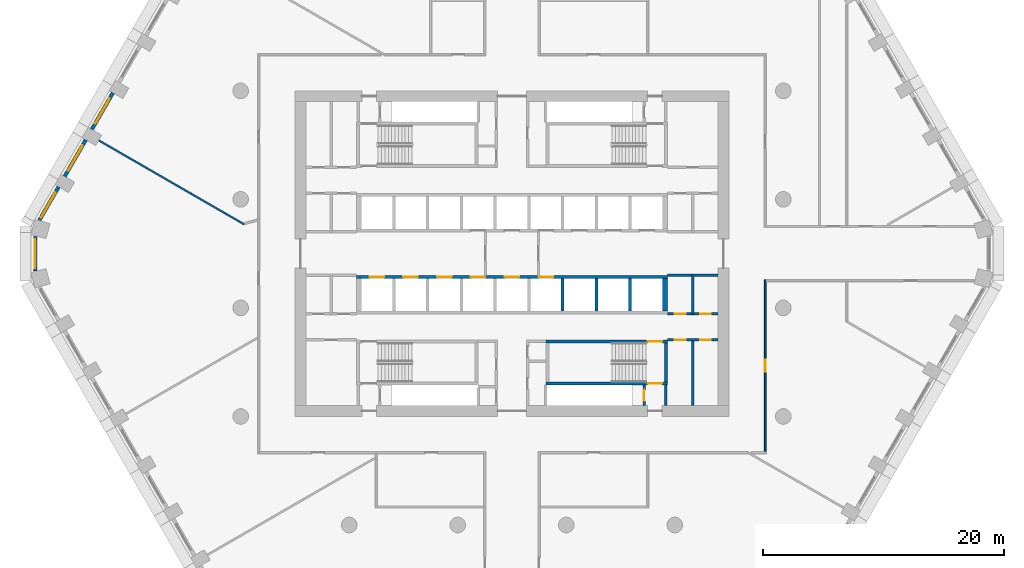
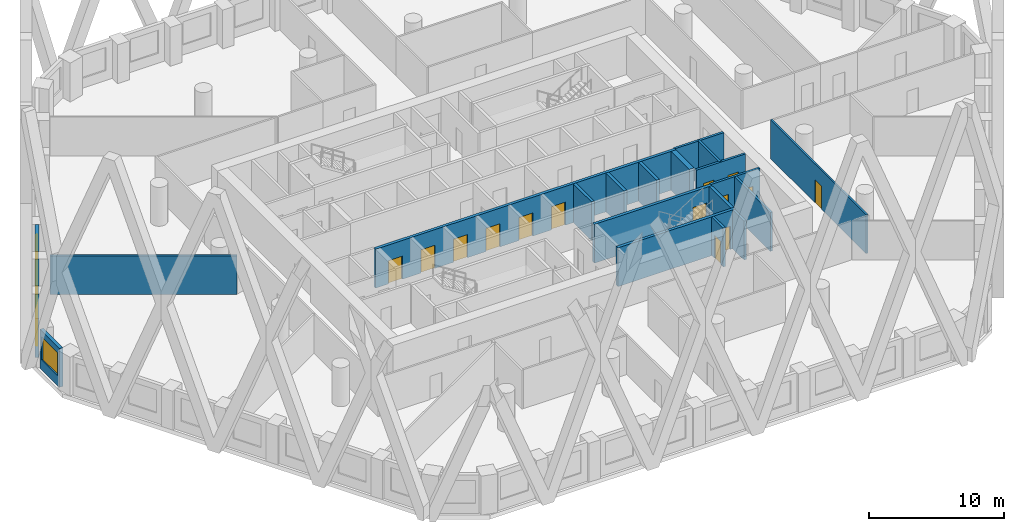
# One storey, part 4 of 18: 21 walls, 14 doors, 4 windows, 18 openings.
"""IFC4 building model written with IfcOpenShell, lengths in metres."""

from ifc_helpers import new_model, si_unit, direction, frame, frame_2d, origin, place, context, subcontext, project, spatial, polyline, rectangle, outline, extrude, material, layer, layer_set, type_object, element, fill, save


model = new_model("IFC4")

# Units and contexts
model_context = context("Model", 3, precision=1e-05, world=origin(), true_north=direction((0.0, 1.0)))
body_context = subcontext(model_context, "Body", "Model", "MODEL_VIEW")
ifc_project = project(units=[si_unit("LENGTHUNIT", "METRE"), si_unit("AREAUNIT", "SQUARE_METRE"), si_unit("VOLUMEUNIT", "CUBIC_METRE"), si_unit("PLANEANGLEUNIT", "RADIAN"), si_unit("MASSUNIT", "GRAM", prefix="KILO")], contexts=[model_context])

# Site, building, storey
site_placement = place(None, origin())
site = spatial("IfcSite", under=ifc_project, at=site_placement, CompositionType="ELEMENT")
building_placement = place(site_placement, origin())
building = spatial("IfcBuilding", under=site, at=building_placement, Name="Dhurran Vertical Campus", CompositionType="ELEMENT")
storey_placement = place(building_placement, frame((0.0, 0.0, 81.300048828125)))
storey = spatial("IfcBuildingStorey", under=building, at=storey_placement, Name="L19", CompositionType="ELEMENT", Elevation=81.300048828125)

# Wall, opening, window
ifc_material_1 = material(Name="Precast concrete C50/60", Category="concrete")
ifc_layer_1 = layer(ifc_material_1, 0.300048828125)
ifc_layer_set_1 = layer_set([ifc_layer_1], Name="Precast concrete C50/60")
wall_type_1 = type_object("IfcWallType", Name="Precast spandrel wall 300", PredefinedType="SOLIDWALL", material=ifc_layer_set_1)
wall_1_placement = place(storey_placement, frame((-33.09423828125, 13.3330078125, 0.0), z_axis=(0.0, 0.0, 1.0), x_axis=(-0.499996256241, -0.866027565234, 0.0)))
wall_1 = element("IfcWall", 1, at=wall_1_placement, inside=storey, type_object=wall_type_1, Name="EW1 L19.40", PredefinedType="SOLIDWALL", context=body_context, shape_type="SweptSolid", body=[
    extrude(rectangle(XDim=3.4990234375, YDim=0.300048828125, at=frame_2d((1.74951171875, 0.0))), origin(), (0.0, 0.0, 1.0), 3.52490234375),
])
opening_1_placement = place(wall_1_placement, frame((0.549560546875, 0.0, 0.89990234375)))
opening_1 = element("IfcOpeningElement", 2, at=opening_1_placement, cuts=wall_1, Name="Opening WT1", PredefinedType="OPENING", context=body_context, shape_type="SweptSolid", body=[
    extrude(rectangle(XDim=2.39990234375, YDim=2.10009765625, at=frame_2d((1.199951171875, 1.050048828125))), frame((0.0, 0.159912109375, 0.0), z_axis=(0.0, -1.0, 0.0), x_axis=(1.0, 0.0, 0.0)), (0.0, 0.0, 1.0), 0.320068359375),
])
ifc_material_2 = material(Name="Aluminium frame with solar-control glass", Category="aluminium")
window_type = type_object("IfcWindowType", Name="Punched window 2400 x 2100", PartitioningType="SINGLE_PANEL", PredefinedType="WINDOW", material=ifc_material_2)
window_1_placement = place(opening_1_placement, origin())
window_1 = element("IfcWindow", 3, at=window_1_placement, inside=storey, type_object=window_type, Name="WT1 L19.40", OverallHeight=2.10009765625, OverallWidth=2.39990234375, PartitioningType="SINGLE_PANEL", PredefinedType="WINDOW", context=body_context, shape_type="SweptSolid", body=[
    extrude(rectangle(XDim=2.39990234375, YDim=2.10009765625, at=frame_2d((1.199951171875, 1.050048828125))), frame((0.0, 0.030029296875, 0.0), z_axis=(0.0, -1.0, 0.0), x_axis=(1.0, 0.0, 0.0)), (0.0, 0.0, 1.0), 0.06005859375),
])
fill(opening_1, window_1)

wall_2_placement = place(storey_placement, frame((-35.34423828125, 9.435791015625, 0.0), z_axis=(0.0, 0.0, 1.0), x_axis=(-0.499996256241, -0.866027565234, 0.0)))
wall_2 = element("IfcWall", 4, at=wall_2_placement, inside=storey, type_object=wall_type_1, Name="EW1 L19.41", PredefinedType="SOLIDWALL", context=body_context, shape_type="SweptSolid", body=[
    extrude(rectangle(XDim=3.4990234375, YDim=0.300048828125, at=frame_2d((1.74951171875, 0.0))), origin(), (0.0, 0.0, 1.0), 3.52490234375),
])
opening_2_placement = place(wall_2_placement, frame((0.549560546875, 0.0, 0.89990234375)))
opening_2 = element("IfcOpeningElement", 5, at=opening_2_placement, cuts=wall_2, Name="Opening WT1", PredefinedType="OPENING", context=body_context, shape_type="SweptSolid", body=[
    extrude(rectangle(XDim=2.39990234375, YDim=2.10009765625, at=frame_2d((1.199951171875, 1.050048828125))), frame((0.0, 0.159912109375, 0.0), z_axis=(0.0, -1.0, 0.0), x_axis=(1.0, 0.0, 0.0)), (0.0, 0.0, 1.0), 0.320068359375),
])
window_2_placement = place(opening_2_placement, origin())
window_2 = element("IfcWindow", 6, at=window_2_placement, inside=storey, type_object=window_type, Name="WT1 L19.41", OverallHeight=2.10009765625, OverallWidth=2.39990234375, PartitioningType="SINGLE_PANEL", PredefinedType="WINDOW", context=body_context, shape_type="SweptSolid", body=[
    extrude(rectangle(XDim=2.39990234375, YDim=2.10009765625, at=frame_2d((1.199951171875, 1.050048828125))), frame((0.0, 0.030029296875, 0.0), z_axis=(0.0, -1.0, 0.0), x_axis=(1.0, 0.0, 0.0)), (0.0, 0.0, 1.0), 0.06005859375),
])
fill(opening_2, window_2)

wall_3_placement = place(storey_placement, frame((-37.59423828125, 5.538818359375, 0.0), z_axis=(0.0, 0.0, 1.0), x_axis=(-0.500004907028, -0.866022570692, 0.0)))
wall_3 = element("IfcWall", 7, at=wall_3_placement, inside=storey, type_object=wall_type_1, Name="EW1 L19.42", PredefinedType="SOLIDWALL", context=body_context, shape_type="SweptSolid", body=[
    extrude(rectangle(XDim=3.1923828125, YDim=0.300048828125, at=frame_2d((1.59619140625, 0.0))), origin(), (0.0, 0.0, 1.0), 3.52490234375),
])
opening_3_placement = place(wall_3_placement, frame((0.549560546875, 0.0, 0.89990234375)))
opening_3 = element("IfcOpeningElement", 8, at=opening_3_placement, cuts=wall_3, Name="Opening WT1", PredefinedType="OPENING", context=body_context, shape_type="SweptSolid", body=[
    extrude(rectangle(XDim=2.39990234375, YDim=2.10009765625, at=frame_2d((1.199951171875, 1.050048828125))), frame((0.0, 0.159912109375, 0.0), z_axis=(0.0, -1.0, 0.0), x_axis=(1.0, 0.0, 0.0)), (0.0, 0.0, 1.0), 0.320068359375),
])
window_3_placement = place(opening_3_placement, origin())
window_3 = element("IfcWindow", 9, at=window_3_placement, inside=storey, type_object=window_type, Name="WT1 L19.42", OverallHeight=2.10009765625, OverallWidth=2.39990234375, PartitioningType="SINGLE_PANEL", PredefinedType="WINDOW", context=body_context, shape_type="SweptSolid", body=[
    extrude(rectangle(XDim=2.39990234375, YDim=2.10009765625, at=frame_2d((1.199951171875, 1.050048828125))), frame((0.0, 0.030029296875, 0.0), z_axis=(0.0, -1.0, 0.0), x_axis=(1.0, 0.0, 0.0)), (0.0, 0.0, 1.0), 0.06005859375),
])
fill(opening_3, window_3)

wall_4_placement = place(storey_placement, frame((-39.547119140625, 1.44287109375, 0.0), z_axis=(0.0, 0.0, 1.0), x_axis=(0.0, -1.0, 0.0)))
wall_4 = element("IfcWall", 10, at=wall_4_placement, inside=storey, type_object=wall_type_1, Name="EW1 L19.43", PredefinedType="SOLIDWALL", context=body_context, shape_type="SweptSolid", body=[
    extrude(rectangle(XDim=2.8857421875, YDim=0.300048828125, at=frame_2d((1.44287109375, 0.0))), origin(), (0.0, 0.0, 1.0), 3.52490234375),
])
opening_4_placement = place(wall_4_placement, frame((0.242919921875, 0.0, 0.89990234375)))
opening_4 = element("IfcOpeningElement", 11, at=opening_4_placement, cuts=wall_4, Name="Opening WT1", PredefinedType="OPENING", context=body_context, shape_type="SweptSolid", body=[
    extrude(rectangle(XDim=2.39990234375, YDim=2.10009765625, at=frame_2d((1.199951171875, 1.050048828125))), frame((0.0, 0.159912109375, 0.0), z_axis=(0.0, -1.0, 0.0), x_axis=(1.0, 0.0, 0.0)), (0.0, 0.0, 1.0), 0.320068359375),
])
window_4_placement = place(opening_4_placement, origin())
window_4 = element("IfcWindow", 12, at=window_4_placement, inside=storey, type_object=window_type, Name="WT1 L19.43", OverallHeight=2.10009765625, OverallWidth=2.39990234375, PartitioningType="SINGLE_PANEL", PredefinedType="WINDOW", context=body_context, shape_type="SweptSolid", body=[
    extrude(rectangle(XDim=2.39990234375, YDim=2.10009765625, at=frame_2d((1.199951171875, 1.050048828125))), frame((0.0, 0.030029296875, 0.0), z_axis=(0.0, -1.0, 0.0), x_axis=(1.0, 0.0, 0.0)), (0.0, 0.0, 1.0), 0.06005859375),
])
fill(opening_4, window_4)

# Wall
ifc_material_3 = material(Name="Fire-rated masonry blockwork", Category="masonry")
ifc_layer_2 = layer(ifc_material_3, 0.199951171875)
ifc_layer_set_2 = layer_set([ifc_layer_2], Name="Fire-rated masonry blockwork")
wall_type_2 = type_object("IfcWallType", Name="co-FIRE-PARTITION-200", PredefinedType="PARTITIONING", material=ifc_layer_set_2)
wall_5_placement = place(storey_placement, frame((12.75, -12.60009765625, 0.0), z_axis=(0.0, 0.0, 1.0), x_axis=(0.0, 1.0, 0.0)))
element("IfcWall", 13, at=wall_5_placement, inside=storey, type_object=wall_type_2, Name="Core partition pass-ST4-o L19", PredefinedType="PARTITIONING", context=body_context, shape_type="SweptSolid", body=[
    extrude(rectangle(XDim=1.7001953125, YDim=0.199951171875, at=frame_2d((0.85009765625, 0.0))), origin(), (0.0, 0.0, 1.0), 3.52490234375),
])

# Wall, opening, door
wall_6_placement = place(storey_placement, frame((10.949951171875, -12.60009765625, 0.0), z_axis=(0.0, 0.0, 1.0), x_axis=(0.0, 1.0, 0.0)))
wall_6 = element("IfcWall", 14, at=wall_6_placement, inside=storey, type_object=wall_type_2, Name="Core partition pass-ST4-i L19", PredefinedType="PARTITIONING", context=body_context, shape_type="SweptSolid", body=[
    extrude(rectangle(XDim=1.7001953125, YDim=0.199951171875, at=frame_2d((0.85009765625, 0.0))), origin(), (0.0, 0.0, 1.0), 3.52490234375),
])
opening_5_placement = place(wall_6_placement, frame((0.39990234375, 0.0, 0.0)))
opening_5 = element("IfcOpeningElement", 15, at=opening_5_placement, cuts=wall_6, Name="Opening T05-C11", PredefinedType="OPENING", context=body_context, shape_type="SweptSolid", body=[
    extrude(rectangle(XDim=0.89990234375, YDim=2.10009765625, at=frame_2d((0.449951171875, 1.050048828125))), frame((0.0, 0.10986328125, 0.0), z_axis=(0.0, -1.0, 0.0), x_axis=(1.0, 0.0, 0.0)), (0.0, 0.0, 1.0), 0.219970703125),
])
ifc_material_4 = material(Name="Fire-rated timber door set", Category="wood")
door_type_1 = type_object("IfcDoorType", Name="co-D-ROOM 900x2100", OperationType="SINGLE_SWING_LEFT", PredefinedType="DOOR", material=ifc_material_4)
door_1_placement = place(opening_5_placement, origin())
door_1 = element("IfcDoor", 16, at=door_1_placement, inside=storey, type_object=door_type_1, Name="Riser room door L19", OperationType="SINGLE_SWING_LEFT", OverallHeight=2.10009765625, OverallWidth=0.89990234375, PredefinedType="DOOR", context=body_context, shape_type="SweptSolid", body=[
    extrude(rectangle(XDim=0.89990234375, YDim=2.10009765625, at=frame_2d((0.449951171875, 1.050048828125))), frame((0.0, 0.02490234375, 0.0), z_axis=(0.0, -1.0, 0.0), x_axis=(1.0, 0.0, 0.0)), (0.0, 0.0, 1.0), 0.050048828125),
])
fill(opening_5, door_1)

# Wall
wall_7_placement = place(storey_placement, frame((15.0, -12.60009765625, 0.0), z_axis=(0.0, 0.0, 1.0), x_axis=(0.0, 1.0, 0.0)))
element("IfcWall", 17, at=wall_7_placement, inside=storey, type_object=wall_type_2, Name="Core partition en-SE-cut0 L19", PredefinedType="PARTITIONING", context=body_context, shape_type="SweptSolid", body=[
    extrude(rectangle(XDim=5.4501953125, YDim=0.199951171875, at=frame_2d((2.72509765625, 0.0))), origin(), (0.0, 0.0, 1.0), 3.52490234375),
])

# Wall, openings, doors
wall_8_placement = place(storey_placement, frame((12.89990234375, -7.14990234375, 0.0), z_axis=(0.0, 0.0, 1.0), x_axis=(1.0, 0.0, 0.0)))
wall_8 = element("IfcWall", 18, at=wall_8_placement, inside=storey, type_object=wall_type_2, Name="Core partition en-SE-w L19", PredefinedType="PARTITIONING", context=body_context, shape_type="SweptSolid", body=[
    extrude(rectangle(XDim=4.2001953125, YDim=0.199951171875, at=frame_2d((2.10009765625, 0.0))), origin(), (0.0, 0.0, 1.0), 3.52490234375),
])
opening_6_placement = place(wall_8_placement, frame((0.60009765625, 0.0, 0.0)))
opening_6 = element("IfcOpeningElement", 19, at=opening_6_placement, cuts=wall_8, Name="Opening T05-C22", PredefinedType="OPENING", context=body_context, shape_type="SweptSolid", body=[
    extrude(rectangle(XDim=0.89990234375, YDim=2.10009765625, at=frame_2d((0.449951171875, 1.050048828125))), frame((0.0, 0.10986328125, 0.0), z_axis=(0.0, -1.0, 0.0), x_axis=(1.0, 0.0, 0.0)), (0.0, 0.0, 1.0), 0.219970703125),
])
opening_7_placement = place(wall_8_placement, frame((2.699951171875, 0.0, 0.0)))
opening_7 = element("IfcOpeningElement", 20, at=opening_7_placement, cuts=wall_8, Name="Opening T05-C23", PredefinedType="OPENING", context=body_context, shape_type="SweptSolid", body=[
    extrude(rectangle(XDim=0.89990234375, YDim=2.10009765625, at=frame_2d((0.449951171875, 1.050048828125))), frame((0.0, 0.10986328125, 0.0), z_axis=(0.0, -1.0, 0.0), x_axis=(1.0, 0.0, 0.0)), (0.0, 0.0, 1.0), 0.219970703125),
])
door_2_placement = place(opening_6_placement, origin())
door_2 = element("IfcDoor", 21, at=door_2_placement, inside=storey, type_object=door_type_1, Name="Waste room door L19", OperationType="SINGLE_SWING_LEFT", OverallHeight=2.10009765625, OverallWidth=0.89990234375, PredefinedType="DOOR", context=body_context, shape_type="SweptSolid", body=[
    extrude(rectangle(XDim=0.89990234375, YDim=2.10009765625, at=frame_2d((0.449951171875, 1.050048828125))), frame((0.0, 0.02490234375, 0.0), z_axis=(0.0, -1.0, 0.0), x_axis=(1.0, 0.0, 0.0)), (0.0, 0.0, 1.0), 0.050048828125),
])
fill(opening_6, door_2)
door_3_placement = place(opening_7_placement, origin())
door_3 = element("IfcDoor", 22, at=door_3_placement, inside=storey, type_object=door_type_1, Name="Pantry door L19", OperationType="SINGLE_SWING_LEFT", OverallHeight=2.10009765625, OverallWidth=0.89990234375, PredefinedType="DOOR", context=body_context, shape_type="SweptSolid", body=[
    extrude(rectangle(XDim=0.89990234375, YDim=2.10009765625, at=frame_2d((0.449951171875, 1.050048828125))), frame((0.0, 0.02490234375, 0.0), z_axis=(0.0, -1.0, 0.0), x_axis=(1.0, 0.0, 0.0)), (0.0, 0.0, 1.0), 0.050048828125),
])
fill(opening_7, door_3)

# Wall
wall_9_placement = place(storey_placement, frame((15.0, -5.0, 0.0), z_axis=(0.0, 0.0, 1.0), x_axis=(0.0, 1.0, 0.0)))
element("IfcWall", 23, at=wall_9_placement, inside=storey, type_object=wall_type_2, Name="Core partition es-SE-cut0 L19", PredefinedType="PARTITIONING", context=body_context, shape_type="SweptSolid", body=[
    extrude(rectangle(XDim=3.199951171875, YDim=0.199951171875, at=frame_2d((1.60009765625, 0.0))), origin(), (0.0, 0.0, 1.0), 3.52490234375),
])

# Wall, openings, doors
wall_10_placement = place(storey_placement, frame((12.89990234375, -5.0, 0.0), z_axis=(0.0, 0.0, 1.0), x_axis=(1.0, 0.0, 0.0)))
wall_10 = element("IfcWall", 24, at=wall_10_placement, inside=storey, type_object=wall_type_2, Name="Core partition es-SE-w L19", PredefinedType="PARTITIONING", context=body_context, shape_type="SweptSolid", body=[
    extrude(rectangle(XDim=4.2001953125, YDim=0.199951171875, at=frame_2d((2.10009765625, 0.0))), origin(), (0.0, 0.0, 1.0), 3.52490234375),
])
opening_8_placement = place(wall_10_placement, frame((0.60009765625, 0.0, 0.0)))
opening_8 = element("IfcOpeningElement", 25, at=opening_8_placement, cuts=wall_10, Name="Opening T05-C24", PredefinedType="OPENING", context=body_context, shape_type="SweptSolid", body=[
    extrude(rectangle(XDim=0.89990234375, YDim=2.10009765625, at=frame_2d((0.449951171875, 1.050048828125))), frame((0.0, 0.10986328125, 0.0), z_axis=(0.0, -1.0, 0.0), x_axis=(1.0, 0.0, 0.0)), (0.0, 0.0, 1.0), 0.219970703125),
])
opening_9_placement = place(wall_10_placement, frame((2.699951171875, 0.0, 0.0)))
opening_9 = element("IfcOpeningElement", 26, at=opening_9_placement, cuts=wall_10, Name="Opening T05-C25", PredefinedType="OPENING", context=body_context, shape_type="SweptSolid", body=[
    extrude(rectangle(XDim=0.89990234375, YDim=2.10009765625, at=frame_2d((0.449951171875, 1.050048828125))), frame((0.0, 0.10986328125, 0.0), z_axis=(0.0, -1.0, 0.0), x_axis=(1.0, 0.0, 0.0)), (0.0, 0.0, 1.0), 0.219970703125),
])
door_4_placement = place(opening_8_placement, origin())
door_4 = element("IfcDoor", 27, at=door_4_placement, inside=storey, type_object=door_type_1, Name="Plant room door L19", OperationType="SINGLE_SWING_LEFT", OverallHeight=2.10009765625, OverallWidth=0.89990234375, PredefinedType="DOOR", context=body_context, shape_type="SweptSolid", body=[
    extrude(rectangle(XDim=0.89990234375, YDim=2.10009765625, at=frame_2d((0.449951171875, 1.050048828125))), frame((0.0, 0.02490234375, 0.0), z_axis=(0.0, -1.0, 0.0), x_axis=(1.0, 0.0, 0.0)), (0.0, 0.0, 1.0), 0.050048828125),
])
fill(opening_8, door_4)
door_5_placement = place(opening_9_placement, origin())
door_5 = element("IfcDoor", 28, at=door_5_placement, inside=storey, type_object=door_type_1, Name="Water riser door L19", OperationType="SINGLE_SWING_LEFT", OverallHeight=2.10009765625, OverallWidth=0.89990234375, PredefinedType="DOOR", context=body_context, shape_type="SweptSolid", body=[
    extrude(rectangle(XDim=0.89990234375, YDim=2.10009765625, at=frame_2d((0.449951171875, 1.050048828125))), frame((0.0, 0.02490234375, 0.0), z_axis=(0.0, -1.0, 0.0), x_axis=(1.0, 0.0, 0.0)), (0.0, 0.0, 1.0), 0.050048828125),
])
fill(opening_9, door_5)

# Wall
wall_11_placement = place(storey_placement, frame((12.89990234375, -1.800048828125, 0.0), z_axis=(0.0, 0.0, 1.0), x_axis=(1.0, 0.0, 0.0)))
element("IfcWall", 29, at=wall_11_placement, inside=storey, type_object=wall_type_2, Name="Core partition es-SE-l L19", PredefinedType="PARTITIONING", context=body_context, shape_type="SweptSolid", body=[
    extrude(rectangle(XDim=4.2001953125, YDim=0.199951171875, at=frame_2d((2.10009765625, 0.0))), origin(), (0.0, 0.0, 1.0), 3.52490234375),
])

# Wall, openings, doors
ifc_material_5 = material(Name="Concrete C50/60", Category="concrete")
ifc_layer_3 = layer(ifc_material_5, 0.25)
ifc_layer_set_3 = layer_set([ifc_layer_3], Name="Concrete C50/60")
wall_type_3 = type_object("IfcWallType", Name="co-SHAFT-FRONT-250", PredefinedType="SHEAR", material=ifc_layer_set_3)
wall_12_placement = place(storey_placement, frame((-12.89990234375, -1.925048828125, 0.0), z_axis=(0.0, 0.0, 1.0), x_axis=(1.0, 0.0, 0.0)))
wall_12 = element("IfcWall", 30, at=wall_12_placement, inside=storey, type_object=wall_type_3, Name="Lift landing wall S L19", PredefinedType="SHEAR", context=body_context, shape_type="SweptSolid", body=[
    extrude(rectangle(XDim=25.7998046875, YDim=0.25, at=frame_2d((12.89990234375, 0.0))), origin(), (0.0, 0.0, 1.0), 3.52490234375),
])
opening_10_placement = place(wall_12_placement, frame((1.10009765625, 0.0, 0.0)))
opening_10 = element("IfcOpeningElement", 31, at=opening_10_placement, cuts=wall_12, Name="Opening LD", PredefinedType="OPENING", context=body_context, shape_type="SweptSolid", body=[
    extrude(rectangle(XDim=1.199951171875, YDim=2.10009765625, at=frame_2d((0.60009765625, 1.050048828125))), frame((0.0, 0.135009765625, 0.0), z_axis=(0.0, -1.0, 0.0), x_axis=(1.0, 0.0, 0.0)), (0.0, 0.0, 1.0), 0.27001953125),
])
opening_11_placement = place(wall_12_placement, frame((3.89990234375, 0.0, 0.0)))
opening_11 = element("IfcOpeningElement", 32, at=opening_11_placement, cuts=wall_12, Name="Opening LD", PredefinedType="OPENING", context=body_context, shape_type="SweptSolid", body=[
    extrude(rectangle(XDim=1.199951171875, YDim=2.10009765625, at=frame_2d((0.60009765625, 1.050048828125))), frame((0.0, 0.135009765625, 0.0), z_axis=(0.0, -1.0, 0.0), x_axis=(1.0, 0.0, 0.0)), (0.0, 0.0, 1.0), 0.27001953125),
])
opening_12_placement = place(wall_12_placement, frame((6.699951171875, 0.0, 0.0)))
opening_12 = element("IfcOpeningElement", 33, at=opening_12_placement, cuts=wall_12, Name="Opening LD", PredefinedType="OPENING", context=body_context, shape_type="SweptSolid", body=[
    extrude(rectangle(XDim=1.199951171875, YDim=2.10009765625, at=frame_2d((0.60009765625, 1.050048828125))), frame((0.0, 0.135009765625, 0.0), z_axis=(0.0, -1.0, 0.0), x_axis=(1.0, 0.0, 0.0)), (0.0, 0.0, 1.0), 0.27001953125),
])
opening_13_placement = place(wall_12_placement, frame((9.5, 0.0, 0.0)))
opening_13 = element("IfcOpeningElement", 34, at=opening_13_placement, cuts=wall_12, Name="Opening LD", PredefinedType="OPENING", context=body_context, shape_type="SweptSolid", body=[
    extrude(rectangle(XDim=1.199951171875, YDim=2.10009765625, at=frame_2d((0.60009765625, 1.050048828125))), frame((0.0, 0.135009765625, 0.0), z_axis=(0.0, -1.0, 0.0), x_axis=(1.0, 0.0, 0.0)), (0.0, 0.0, 1.0), 0.27001953125),
])
opening_14_placement = place(wall_12_placement, frame((12.300048828125, 0.0, 0.0)))
opening_14 = element("IfcOpeningElement", 35, at=opening_14_placement, cuts=wall_12, Name="Opening LD", PredefinedType="OPENING", context=body_context, shape_type="SweptSolid", body=[
    extrude(rectangle(XDim=1.199951171875, YDim=2.10009765625, at=frame_2d((0.60009765625, 1.050048828125))), frame((0.0, 0.135009765625, 0.0), z_axis=(0.0, -1.0, 0.0), x_axis=(1.0, 0.0, 0.0)), (0.0, 0.0, 1.0), 0.27001953125),
])
opening_15_placement = place(wall_12_placement, frame((15.10009765625, 0.0, 0.0)))
opening_15 = element("IfcOpeningElement", 36, at=opening_15_placement, cuts=wall_12, Name="Opening LD", PredefinedType="OPENING", context=body_context, shape_type="SweptSolid", body=[
    extrude(rectangle(XDim=1.199951171875, YDim=2.10009765625, at=frame_2d((0.60009765625, 1.050048828125))), frame((0.0, 0.135009765625, 0.0), z_axis=(0.0, -1.0, 0.0), x_axis=(1.0, 0.0, 0.0)), (0.0, 0.0, 1.0), 0.27001953125),
])
ifc_material_6 = material(Name="Stainless steel landing door", Category="steel")
door_type_2 = type_object("IfcDoorType", Name="co-D-LANDING 1200x2100", OperationType="DOUBLE_DOOR_SLIDING", PredefinedType="DOOR", material=ifc_material_6)
door_6_placement = place(opening_10_placement, origin())
door_6 = element("IfcDoor", 37, at=door_6_placement, inside=storey, type_object=door_type_2, Name="Landing door LR5 L19", OperationType="DOUBLE_DOOR_SLIDING", OverallHeight=2.10009765625, OverallWidth=1.199951171875, PredefinedType="DOOR", context=body_context, shape_type="SweptSolid", body=[
    extrude(rectangle(XDim=1.199951171875, YDim=2.10009765625, at=frame_2d((0.60009765625, 1.050048828125))), frame((0.0, 0.02490234375, 0.0), z_axis=(0.0, -1.0, 0.0), x_axis=(1.0, 0.0, 0.0)), (0.0, 0.0, 1.0), 0.050048828125),
])
fill(opening_10, door_6)
door_7_placement = place(opening_11_placement, origin())
door_7 = element("IfcDoor", 38, at=door_7_placement, inside=storey, type_object=door_type_2, Name="Landing door LR6 L19", OperationType="DOUBLE_DOOR_SLIDING", OverallHeight=2.10009765625, OverallWidth=1.199951171875, PredefinedType="DOOR", context=body_context, shape_type="SweptSolid", body=[
    extrude(rectangle(XDim=1.199951171875, YDim=2.10009765625, at=frame_2d((0.60009765625, 1.050048828125))), frame((0.0, 0.02490234375, 0.0), z_axis=(0.0, -1.0, 0.0), x_axis=(1.0, 0.0, 0.0)), (0.0, 0.0, 1.0), 0.050048828125),
])
fill(opening_11, door_7)
door_8_placement = place(opening_12_placement, origin())
door_8 = element("IfcDoor", 39, at=door_8_placement, inside=storey, type_object=door_type_2, Name="Landing door LR7 L19", OperationType="DOUBLE_DOOR_SLIDING", OverallHeight=2.10009765625, OverallWidth=1.199951171875, PredefinedType="DOOR", context=body_context, shape_type="SweptSolid", body=[
    extrude(rectangle(XDim=1.199951171875, YDim=2.10009765625, at=frame_2d((0.60009765625, 1.050048828125))), frame((0.0, 0.02490234375, 0.0), z_axis=(0.0, -1.0, 0.0), x_axis=(1.0, 0.0, 0.0)), (0.0, 0.0, 1.0), 0.050048828125),
])
fill(opening_12, door_8)
door_9_placement = place(opening_13_placement, origin())
door_9 = element("IfcDoor", 40, at=door_9_placement, inside=storey, type_object=door_type_2, Name="Landing door LR8 L19", OperationType="DOUBLE_DOOR_SLIDING", OverallHeight=2.10009765625, OverallWidth=1.199951171875, PredefinedType="DOOR", context=body_context, shape_type="SweptSolid", body=[
    extrude(rectangle(XDim=1.199951171875, YDim=2.10009765625, at=frame_2d((0.60009765625, 1.050048828125))), frame((0.0, 0.02490234375, 0.0), z_axis=(0.0, -1.0, 0.0), x_axis=(1.0, 0.0, 0.0)), (0.0, 0.0, 1.0), 0.050048828125),
])
fill(opening_13, door_9)
door_10_placement = place(opening_14_placement, origin())
door_10 = element("IfcDoor", 41, at=door_10_placement, inside=storey, type_object=door_type_2, Name="Landing door FF2 L19", OperationType="DOUBLE_DOOR_SLIDING", OverallHeight=2.10009765625, OverallWidth=1.199951171875, PredefinedType="DOOR", context=body_context, shape_type="SweptSolid", body=[
    extrude(rectangle(XDim=1.199951171875, YDim=2.10009765625, at=frame_2d((0.60009765625, 1.050048828125))), frame((0.0, 0.02490234375, 0.0), z_axis=(0.0, -1.0, 0.0), x_axis=(1.0, 0.0, 0.0)), (0.0, 0.0, 1.0), 0.050048828125),
])
fill(opening_14, door_10)
door_11_placement = place(opening_15_placement, origin())
door_11 = element("IfcDoor", 42, at=door_11_placement, inside=storey, type_object=door_type_2, Name="Landing door SV1 L19", OperationType="DOUBLE_DOOR_SLIDING", OverallHeight=2.10009765625, OverallWidth=1.199951171875, PredefinedType="DOOR", context=body_context, shape_type="SweptSolid", body=[
    extrude(rectangle(XDim=1.199951171875, YDim=2.10009765625, at=frame_2d((0.60009765625, 1.050048828125))), frame((0.0, 0.02490234375, 0.0), z_axis=(0.0, -1.0, 0.0), x_axis=(1.0, 0.0, 0.0)), (0.0, 0.0, 1.0), 0.050048828125),
])
fill(opening_15, door_11)

# Walls
ifc_material_7 = material(Name="Concrete C50/60", Category="concrete")
ifc_layer_4 = layer(ifc_material_7, 0.25)
ifc_layer_set_4 = layer_set([ifc_layer_4], Name="Concrete C50/60")
wall_type_4 = type_object("IfcWallType", Name="co-SHAFT-MASS-250", PredefinedType="SHEAR", material=ifc_layer_set_4)
wall_13_placement = place(storey_placement, origin())
element("IfcWall", 43, at=wall_13_placement, inside=storey, type_object=wall_type_4, Name="Lift shaft wall S L19 8", PredefinedType="SHEAR", context=body_context, shape_type="SweptSolid", body=[
    extrude(outline(polyline([(4.074951171875, -4.75), (4.324951171875, -4.75), (4.324951171875, -2.050048828125), (4.074951171875, -2.050048828125), (4.074951171875, -4.75)])), origin(), (0.0, 0.0, 1.0), 3.52490234375),
])
wall_14_placement = place(storey_placement, origin())
element("IfcWall", 44, at=wall_14_placement, inside=storey, type_object=wall_type_4, Name="Lift shaft wall S L19 9", PredefinedType="SHEAR", context=body_context, shape_type="SweptSolid", body=[
    extrude(outline(polyline([(6.875, -4.75), (7.125, -4.75), (7.125, -2.050048828125), (6.875, -2.050048828125), (6.875, -4.75)])), origin(), (0.0, 0.0, 1.0), 3.52490234375),
])
wall_15_placement = place(storey_placement, origin())
element("IfcWall", 45, at=wall_15_placement, inside=storey, type_object=wall_type_4, Name="Lift shaft wall S L19 10", PredefinedType="SHEAR", context=body_context, shape_type="SweptSolid", body=[
    extrude(outline(polyline([(9.675048828125, -4.75), (9.925048828125, -4.75), (9.925048828125, -2.050048828125), (9.675048828125, -2.050048828125), (9.675048828125, -4.75)])), origin(), (0.0, 0.0, 1.0), 3.52490234375),
])
wall_16_placement = place(storey_placement, origin())
element("IfcWall", 46, at=wall_16_placement, inside=storey, type_object=wall_type_4, Name="Lift shaft wall S L19 11", PredefinedType="SHEAR", context=body_context, shape_type="SweptSolid", body=[
    extrude(outline(polyline([(12.47509765625, -4.75), (12.89990234375, -4.75), (12.89990234375, -2.050048828125), (12.47509765625, -2.050048828125), (12.47509765625, -4.75)])), origin(), (0.0, 0.0, 1.0), 3.52490234375),
])

# Wall, opening, door
ifc_material_8 = material(Name="Concrete C40/50", Category="concrete")
ifc_layer_5 = layer(ifc_material_8, 0.25)
ifc_layer_set_5 = layer_set([ifc_layer_5], Name="Concrete C40/50")
wall_type_5 = type_object("IfcWallType", Name="co-STAIR-WALL-250", PredefinedType="SHEAR", material=ifc_layer_set_5)
wall_17_placement = place(storey_placement, frame((2.800048828125, -10.77490234375, 0.0), z_axis=(0.0, 0.0, 1.0), x_axis=(1.0, 0.0, 0.0)))
wall_17 = element("IfcWall", 47, at=wall_17_placement, inside=storey, type_object=wall_type_5, Name="Stair ST4 enclosure wall L19", PredefinedType="SHEAR", context=body_context, shape_type="SweptSolid", body=[
    extrude(rectangle(XDim=10.099853515625, YDim=0.25, at=frame_2d((5.0498046875, 0.0))), origin(), (0.0, 0.0, 1.0), 3.52490234375),
])
opening_16_placement = place(wall_17_placement, frame((8.449951171875, 0.0, 0.0)))
opening_16 = element("IfcOpeningElement", 48, at=opening_16_placement, cuts=wall_17, Name="Opening XS4", PredefinedType="OPENING", context=body_context, shape_type="SweptSolid", body=[
    extrude(rectangle(XDim=1.199951171875, YDim=2.10009765625, at=frame_2d((0.60009765625, 1.050048828125))), frame((0.0, 0.135009765625, 0.0), z_axis=(0.0, -1.0, 0.0), x_axis=(1.0, 0.0, 0.0)), (0.0, 0.0, 1.0), 0.27001953125),
])
ifc_material_9 = material(Name="Fire-rated steel door set", Category="steel")
door_type_3 = type_object("IfcDoorType", Name="co-D-STAIR-EXIT 1200x2100", OperationType="SINGLE_SWING_RIGHT", PredefinedType="DOOR", material=ifc_material_9)
door_12_placement = place(opening_16_placement, origin())
door_12 = element("IfcDoor", 49, at=door_12_placement, inside=storey, type_object=door_type_3, Name="Stair ST4 discharge door L19", OperationType="SINGLE_SWING_RIGHT", OverallHeight=2.10009765625, OverallWidth=1.199951171875, PredefinedType="DOOR", context=body_context, shape_type="SweptSolid", body=[
    extrude(rectangle(XDim=1.199951171875, YDim=2.10009765625, at=frame_2d((0.60009765625, 1.050048828125))), frame((0.0, 0.02490234375, 0.0), z_axis=(0.0, -1.0, 0.0), x_axis=(1.0, 0.0, 0.0)), (0.0, 0.0, 1.0), 0.050048828125),
])
fill(opening_16, door_12)

wall_18_placement = place(storey_placement, frame((2.800048828125, -7.27490234375, 0.0), z_axis=(0.0, 0.0, 1.0), x_axis=(1.0, 0.0, 0.0)))
wall_18 = element("IfcWall", 50, at=wall_18_placement, inside=storey, type_object=wall_type_5, Name="Stair ST4 enclosure wall L19", PredefinedType="SHEAR", context=body_context, shape_type="SweptSolid", body=[
    extrude(rectangle(XDim=10.099853515625, YDim=0.25, at=frame_2d((5.0498046875, 0.0))), origin(), (0.0, 0.0, 1.0), 3.52490234375),
])
opening_17_placement = place(wall_18_placement, frame((8.449951171875, 0.0, 0.0)))
opening_17 = element("IfcOpeningElement", 51, at=opening_17_placement, cuts=wall_18, Name="Opening SD4", PredefinedType="OPENING", context=body_context, shape_type="SweptSolid", body=[
    extrude(rectangle(XDim=1.199951171875, YDim=2.10009765625, at=frame_2d((0.60009765625, 1.050048828125))), frame((0.0, 0.135009765625, 0.0), z_axis=(0.0, -1.0, 0.0), x_axis=(1.0, 0.0, 0.0)), (0.0, 0.0, 1.0), 0.27001953125),
])
ifc_material_10 = material(Name="Fire-rated steel door set", Category="steel")
door_type_4 = type_object("IfcDoorType", Name="co-D-STAIR 1200x2100", OperationType="SINGLE_SWING_LEFT", PredefinedType="DOOR", material=ifc_material_10)
door_13_placement = place(opening_17_placement, origin())
door_13 = element("IfcDoor", 52, at=door_13_placement, inside=storey, type_object=door_type_4, Name="Stair ST4 door L19", OperationType="SINGLE_SWING_LEFT", OverallHeight=2.10009765625, OverallWidth=1.199951171875, PredefinedType="DOOR", context=body_context, shape_type="SweptSolid", body=[
    extrude(rectangle(XDim=1.199951171875, YDim=2.10009765625, at=frame_2d((0.60009765625, 1.050048828125))), frame((0.0, 0.02490234375, 0.0), z_axis=(0.0, -1.0, 0.0), x_axis=(1.0, 0.0, 0.0)), (0.0, 0.0, 1.0), 0.050048828125),
])
fill(opening_17, door_13)

# Wall
wall_19_placement = place(storey_placement, frame((12.77490234375, -10.64990234375, 0.0), z_axis=(0.0, 0.0, 1.0), x_axis=(0.0, 1.0, 0.0)))
element("IfcWall", 53, at=wall_19_placement, inside=storey, type_object=wall_type_5, Name="Stair ST4 enclosure wall L19", PredefinedType="SHEAR", context=body_context, shape_type="SweptSolid", body=[
    extrude(rectangle(XDim=3.25, YDim=0.25, at=frame_2d((1.625, 0.0))), origin(), (0.0, 0.0, 1.0), 3.52490234375),
])

# Wall, opening, door
ifc_material_11 = material(Name="Gypsum board corridor wall on steel studs", Category="steel")
ifc_layer_6 = layer(ifc_material_11, 0.14990234375)
ifc_layer_set_6 = layer_set([ifc_layer_6], Name="Gypsum board corridor wall on steel studs")
wall_type_6 = type_object("IfcWallType", Name="fl-CW-150 corridor wall", PredefinedType="PARTITIONING", material=ifc_layer_set_6)
wall_20_placement = place(storey_placement, frame((21.0, -16.425048828125, 0.0), z_axis=(0.0, 0.0, 1.0), x_axis=(0.0, 1.0, 0.0)))
wall_20 = element("IfcWall", 54, at=wall_20_placement, inside=storey, type_object=wall_type_6, Name="Partition 19-37", PredefinedType="PARTITIONING", context=body_context, shape_type="SweptSolid", body=[
    extrude(rectangle(XDim=14.25, YDim=0.14990234375, at=frame_2d((7.125, 0.0))), origin(), (0.0, 0.0, 1.0), 3.52490234375),
])
opening_18_placement = place(wall_20_placement, frame((6.625, 0.0, 0.0)))
opening_18 = element("IfcOpeningElement", 55, at=opening_18_placement, cuts=wall_20, Name="Opening T05.12", PredefinedType="OPENING", context=body_context, shape_type="SweptSolid", body=[
    extrude(rectangle(XDim=1.0, YDim=2.10009765625, at=frame_2d((0.5, 1.050048828125))), frame((0.0, 0.0849609375, 0.0), z_axis=(0.0, -1.0, 0.0), x_axis=(1.0, 0.0, 0.0)), (0.0, 0.0, 1.0), 0.169921875),
])
ifc_material_12 = material(Name="Solid-core timber door set, fire-rated", Category="wood")
door_type_5 = type_object("IfcDoorType", Name="fl-D-1000x2100", OperationType="SINGLE_SWING_LEFT", PredefinedType="DOOR", material=ifc_material_12)
door_14_placement = place(opening_18_placement, origin())
door_14 = element("IfcDoor", 56, at=door_14_placement, inside=storey, type_object=door_type_5, Name="Door 19.12", OperationType="SINGLE_SWING_RIGHT", OverallHeight=2.10009765625, OverallWidth=1.0, PredefinedType="DOOR", context=body_context, shape_type="SweptSolid", body=[
    extrude(rectangle(XDim=1.0, YDim=2.10009765625, at=frame_2d((0.5, 1.050048828125))), frame((0.0, 0.02490234375, 0.0), z_axis=(0.0, -1.0, 0.0), x_axis=(1.0, 0.0, 0.0)), (0.0, 0.0, 1.0), 0.050048828125),
])
fill(opening_18, door_14)

# Wall
ifc_material_13 = material(Name="Gypsum board partition on steel studs", Category="steel")
ifc_layer_7 = layer(ifc_material_13, 0.14990234375)
ifc_layer_set_7 = layer_set([ifc_layer_7], Name="Gypsum board partition on steel studs")
wall_type_7 = type_object("IfcWallType", Name="fl-PW-150 fixed partition", PredefinedType="PARTITIONING", material=ifc_layer_set_7)
wall_21_placement = place(storey_placement, frame((-34.25390625, 9.38427734375, 0.0), z_axis=(0.0, 0.0, 1.0), x_axis=(0.866040828911, -0.499973281945, 0.0)))
element("IfcWall", 57, at=wall_21_placement, inside=storey, type_object=wall_type_7, Name="Partition 19-01", PredefinedType="PARTITIONING", context=body_context, shape_type="SweptSolid", body=[
    extrude(rectangle(XDim=13.902099609375, YDim=0.14990234375, at=frame_2d((6.951171875, 0.0))), origin(), (0.0, 0.0, 1.0), 3.52490234375),
])

save(model, "model.ifc")
